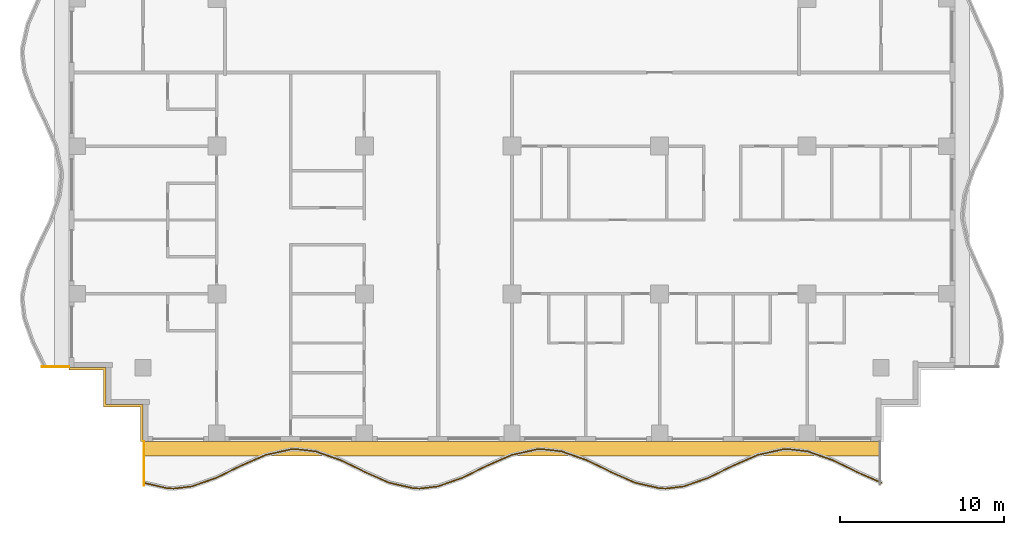
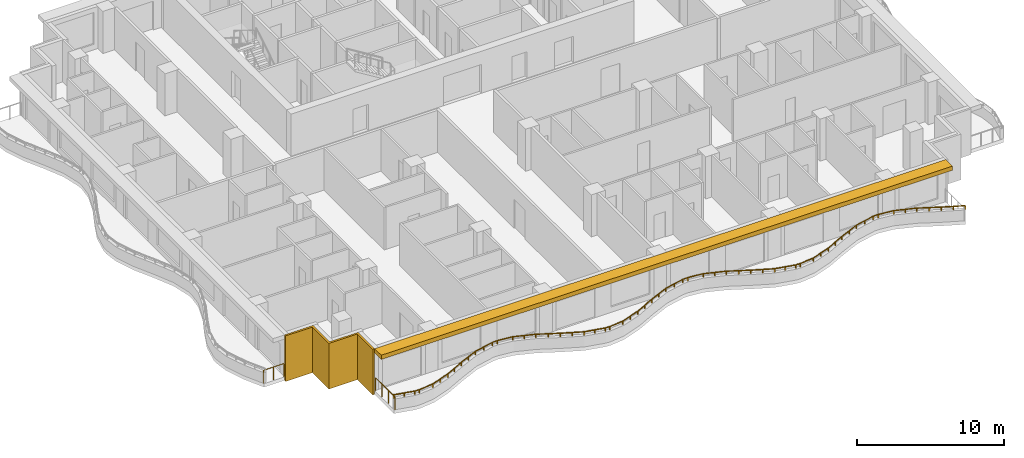
# One storey, part 9 of 12: 3 railings, 2 shading devices.
"""IFC4 building model written with IfcOpenShell, lengths in metres."""

from ifc_helpers import new_model, si_unit, direction, frame, origin, origin_2d, place, context, subcontext, project, spatial, polyline, rectangle, outline, extrude, material, layer, layer_set, type_object, element, save


model = new_model("IFC4")

# Units and contexts
model_context = context("Model", 3, precision=1e-05, world=origin(), true_north=direction((0.0, 1.0)))
body_context = subcontext(model_context, "Body", "Model", "MODEL_VIEW")
ifc_project = project(units=[si_unit("LENGTHUNIT", "METRE"), si_unit("AREAUNIT", "SQUARE_METRE"), si_unit("VOLUMEUNIT", "CUBIC_METRE"), si_unit("PLANEANGLEUNIT", "RADIAN"), si_unit("MASSUNIT", "GRAM", prefix="KILO")], contexts=[model_context])

# Site, building, storey
site_placement = place(None, origin())
site = spatial("IfcSite", under=ifc_project, at=site_placement, CompositionType="ELEMENT")
building_placement = place(site_placement, origin())
building = spatial("IfcBuilding", under=site, at=building_placement, Name="Orbiselva Terraces", CompositionType="ELEMENT")
storey_placement = place(building_placement, frame((0.0, 0.0, 214.8)))
storey = spatial("IfcBuildingStorey", under=building, at=storey_placement, Name="L54", CompositionType="ELEMENT", Elevation=214.8)

# Railings
ifc_material_1 = material(Name="Bonded two-ply safety glass balustrade, stainless steel posts", Category="steel")
railing_type_1 = type_object("IfcRailingType", Name="ENV-BALUSTRADE-1200", PredefinedType="BALUSTRADE", material=ifc_material_1)
railing_1_placement = place(storey_placement, frame((-22.472623, -25.026563, 0.9)))
element("IfcRailing", 1, at=railing_1_placement, inside=storey, type_object=railing_type_1, Name="Balcony balustrade L54 S", PredefinedType="BALUSTRADE", context=body_context, shape_type="SweptSolid", body=[
    extrude(outline(polyline([(0.028868, 0.0), (0.014434, 0.025), (-0.014434, 0.025), (-0.028868, 0.0), (-0.014434, -0.025), (0.014434, -0.025), (0.028868, 0.0)])), frame((0.0, 0.0, 0.275), z_axis=(0.975721322437, -0.21901575501, 0.0), x_axis=(0.21901575501, 0.975721322437, 0.0)), (0.0, 0.0, 1.0), 1.525954),
    extrude(outline(polyline([(0.028868, 0.0), (0.014434, 0.025), (-0.014434, 0.025), (-0.028868, 0.0), (-0.014434, -0.025), (0.014434, -0.025), (0.028868, 0.0)])), frame((1.488906, -0.334208, 0.275), z_axis=(0.999224931454, -0.039364150694, 0.0), x_axis=(0.039364150694, 0.999224931454, 0.0)), (0.0, 0.0, 1.0), 0.354206),
    extrude(outline(polyline([(0.028868, 0.0), (0.014434, 0.025), (-0.014434, 0.025), (-0.028868, 0.0), (-0.014434, -0.025), (0.014434, -0.025), (0.028868, 0.0)])), frame((1.842837, -0.348151, 0.275), z_axis=(0.993309658409, 0.115481264762, 0.0), x_axis=(-0.115481264762, 0.993309658409, 0.0)), (0.0, 0.0, 1.0), 1.10902),
    extrude(outline(polyline([(0.028868, 0.0), (0.014434, 0.025), (-0.014434, 0.025), (-0.028868, 0.0), (-0.014434, -0.025), (0.014434, -0.025), (0.028868, 0.0)])), frame((2.944437, -0.22008, 0.275), z_axis=(0.943972277814, 0.330024754707, 0.0), x_axis=(-0.330024754707, 0.943972277814, 0.0)), (0.0, 0.0, 1.0), 1.567807),
    extrude(outline(polyline([(0.028868, 0.0), (0.014434, 0.025), (-0.014434, 0.025), (-0.028868, 0.0), (-0.014434, -0.025), (0.014434, -0.025), (0.028868, 0.0)])), frame((4.424403, 0.297335, 0.275), z_axis=(0.89857890432, 0.438811978768, 0.0), x_axis=(-0.438811978768, 0.89857890432, 0.0)), (0.0, 0.0, 1.0), 1.66438),
    extrude(outline(polyline([(0.028868, 0.0), (0.014434, 0.025), (-0.014434, 0.025), (-0.028868, 0.0), (-0.014434, -0.025), (0.014434, -0.025), (0.028868, 0.0)])), frame((5.91998, 1.027685, 0.275), z_axis=(0.915133527237, 0.403150874148, 0.0), x_axis=(-0.403150874148, 0.915133527237, 0.0)), (0.0, 0.0, 1.0), 1.653736),
    extrude(outline(polyline([(0.028868, 0.0), (0.014434, 0.025), (-0.014434, 0.025), (-0.028868, 0.0), (-0.014434, -0.025), (0.014434, -0.025), (0.028868, 0.0)])), frame((7.433369, 1.69439, 0.275), z_axis=(0.97572137947, 0.219015500924, 0.0), x_axis=(-0.219015500924, 0.97572137947, 0.0)), (0.0, 0.0, 1.0), 1.560867),
    extrude(outline(polyline([(0.028868, 0.0), (0.014434, 0.025), (-0.014434, 0.025), (-0.028868, 0.0), (-0.014434, -0.025), (0.014434, -0.025), (0.028868, 0.0)])), frame((8.95634, 2.036244, 0.275), z_axis=(0.999224734286, 0.03936915532, 0.0), x_axis=(-0.03936915532, 0.999224734286, 0.0)), (0.0, 0.0, 1.0), 0.396376),
    extrude(outline(polyline([(0.028868, 0.0), (0.014434, 0.025), (-0.014434, 0.025), (-0.028868, 0.0), (-0.014434, -0.025), (0.014434, -0.025), (0.028868, 0.0)])), frame((9.352409, 2.051849, 0.275), z_axis=(0.993309551734, -0.115482182324, 0.0), x_axis=(0.115482182324, 0.993309551734, 0.0)), (0.0, 0.0, 1.0), 1.156135),
    extrude(outline(polyline([(0.028868, 0.0), (0.014434, 0.025), (-0.014434, 0.025), (-0.028868, 0.0), (-0.014434, -0.025), (0.014434, -0.025), (0.028868, 0.0)])), frame((10.500809, 1.918336, 0.275), z_axis=(0.943972332783, -0.330024597479, 0.0), x_axis=(0.330024597479, 0.943972332783, 0.0)), (0.0, 0.0, 1.0), 1.610253),
    extrude(outline(polyline([(0.028868, 0.0), (0.014434, 0.025), (-0.014434, 0.025), (-0.028868, 0.0), (-0.014434, -0.025), (0.014434, -0.025), (0.028868, 0.0)])), frame((12.020843, 1.386913, 0.275), z_axis=(0.898578870221, -0.438812048596, 0.0), x_axis=(0.438812048596, 0.898578870221, 0.0)), (0.0, 0.0, 1.0), 1.674225),
    extrude(outline(polyline([(0.028868, 0.0), (0.014434, 0.025), (-0.014434, 0.025), (-0.028868, 0.0), (-0.014434, -0.025), (0.014434, -0.025), (0.028868, 0.0)])), frame((13.525266, 0.652243, 0.275), z_axis=(0.915133363686, -0.403151245402, 0.0), x_axis=(0.403151245402, 0.915133363686, 0.0)), (0.0, 0.0, 1.0), 1.624475),
    extrude(outline(polyline([(0.028868, 0.0), (0.014434, 0.025), (-0.014434, 0.025), (-0.028868, 0.0), (-0.014434, -0.025), (0.014434, -0.025), (0.028868, 0.0)])), frame((15.011877, -0.002666, 0.275), z_axis=(0.975721325753, -0.219015740235, 0.0), x_axis=(0.219015740235, 0.975721325753, 0.0)), (0.0, 0.0, 1.0), 1.513782),
    extrude(outline(polyline([(0.028868, 0.0), (0.014434, 0.025), (-0.014434, 0.025), (-0.028868, 0.0), (-0.014434, -0.025), (0.014434, -0.025), (0.028868, 0.0)])), frame((16.488906, -0.334208, 0.275), z_axis=(0.999224931454, -0.039364150694, 0.0), x_axis=(0.039364150694, 0.999224931454, 0.0)), (0.0, 0.0, 1.0), 0.354206),
    extrude(outline(polyline([(0.028868, 0.0), (0.014434, 0.025), (-0.014434, 0.025), (-0.028868, 0.0), (-0.014434, -0.025), (0.014434, -0.025), (0.028868, 0.0)])), frame((16.842837, -0.348151, 0.275), z_axis=(0.993309658409, 0.115481264762, 0.0), x_axis=(-0.115481264762, 0.993309658409, 0.0)), (0.0, 0.0, 1.0), 1.10902),
    extrude(outline(polyline([(0.028868, 0.0), (0.014434, 0.025), (-0.014434, 0.025), (-0.028868, 0.0), (-0.014434, -0.025), (0.014434, -0.025), (0.028868, 0.0)])), frame((17.944437, -0.22008, 0.275), z_axis=(0.943972277814, 0.330024754707, 0.0), x_axis=(-0.330024754707, 0.943972277814, 0.0)), (0.0, 0.0, 1.0), 1.567807),
    extrude(outline(polyline([(0.028868, 0.0), (0.014434, 0.025), (-0.014434, 0.025), (-0.028868, 0.0), (-0.014434, -0.025), (0.014434, -0.025), (0.028868, 0.0)])), frame((19.424403, 0.297335, 0.275), z_axis=(0.89857890432, 0.438811978768, 0.0), x_axis=(-0.438811978768, 0.89857890432, 0.0)), (0.0, 0.0, 1.0), 1.66438),
    extrude(outline(polyline([(0.028868, 0.0), (0.014434, 0.025), (-0.014434, 0.025), (-0.028868, 0.0), (-0.014434, -0.025), (0.014434, -0.025), (0.028868, 0.0)])), frame((20.91998, 1.027685, 0.275), z_axis=(0.915133527237, 0.403150874148, 0.0), x_axis=(-0.403150874148, 0.915133527237, 0.0)), (0.0, 0.0, 1.0), 1.653736),
    extrude(outline(polyline([(0.028868, 0.0), (0.014434, 0.025), (-0.014434, 0.025), (-0.028868, 0.0), (-0.014434, -0.025), (0.014434, -0.025), (0.028868, 0.0)])), frame((22.433369, 1.69439, 0.275), z_axis=(0.97572137947, 0.219015500924, 0.0), x_axis=(-0.219015500924, 0.97572137947, 0.0)), (0.0, 0.0, 1.0), 1.560867),
    extrude(outline(polyline([(0.028868, 0.0), (0.014434, 0.025), (-0.014434, 0.025), (-0.028868, 0.0), (-0.014434, -0.025), (0.014434, -0.025), (0.028868, 0.0)])), frame((23.95634, 2.036244, 0.275), z_axis=(0.999224734286, 0.03936915532, 0.0), x_axis=(-0.03936915532, 0.999224734286, 0.0)), (0.0, 0.0, 1.0), 0.396376),
    extrude(outline(polyline([(0.028868, 0.0), (0.014434, 0.025), (-0.014434, 0.025), (-0.028868, 0.0), (-0.014434, -0.025), (0.014434, -0.025), (0.028868, 0.0)])), frame((24.352409, 2.051849, 0.275), z_axis=(0.993309551734, -0.115482182324, 0.0), x_axis=(0.115482182324, 0.993309551734, 0.0)), (0.0, 0.0, 1.0), 1.156135),
    extrude(outline(polyline([(0.028868, 0.0), (0.014434, 0.025), (-0.014434, 0.025), (-0.028868, 0.0), (-0.014434, -0.025), (0.014434, -0.025), (0.028868, 0.0)])), frame((25.500809, 1.918336, 0.275), z_axis=(0.943972332783, -0.330024597479, 0.0), x_axis=(0.330024597479, 0.943972332783, 0.0)), (0.0, 0.0, 1.0), 1.610253),
    extrude(outline(polyline([(0.028868, 0.0), (0.014434, 0.025), (-0.014434, 0.025), (-0.028868, 0.0), (-0.014434, -0.025), (0.014434, -0.025), (0.028868, 0.0)])), frame((27.020843, 1.386913, 0.275), z_axis=(0.898578870221, -0.438812048596, 0.0), x_axis=(0.438812048596, 0.898578870221, 0.0)), (0.0, 0.0, 1.0), 1.674225),
    extrude(outline(polyline([(0.028868, 0.0), (0.014434, 0.025), (-0.014434, 0.025), (-0.028868, 0.0), (-0.014434, -0.025), (0.014434, -0.025), (0.028868, 0.0)])), frame((28.525266, 0.652243, 0.275), z_axis=(0.915133363686, -0.403151245402, 0.0), x_axis=(0.403151245402, 0.915133363686, 0.0)), (0.0, 0.0, 1.0), 1.624475),
    extrude(outline(polyline([(0.028868, 0.0), (0.014434, 0.025), (-0.014434, 0.025), (-0.028868, 0.0), (-0.014434, -0.025), (0.014434, -0.025), (0.028868, 0.0)])), frame((30.011877, -0.002666, 0.275), z_axis=(0.975721325753, -0.219015740235, 0.0), x_axis=(0.219015740235, 0.975721325753, 0.0)), (0.0, 0.0, 1.0), 1.513782),
    extrude(outline(polyline([(0.028868, 0.0), (0.014434, 0.025), (-0.014434, 0.025), (-0.028868, 0.0), (-0.014434, -0.025), (0.014434, -0.025), (0.028868, 0.0)])), frame((31.488906, -0.334208, 0.275), z_axis=(0.999224931454, -0.039364150694, 0.0), x_axis=(0.039364150694, 0.999224931454, 0.0)), (0.0, 0.0, 1.0), 0.354206),
    extrude(outline(polyline([(0.028868, 0.0), (0.014434, 0.025), (-0.014434, 0.025), (-0.028868, 0.0), (-0.014434, -0.025), (0.014434, -0.025), (0.028868, 0.0)])), frame((31.842837, -0.348151, 0.275), z_axis=(0.993309658409, 0.115481264762, 0.0), x_axis=(-0.115481264762, 0.993309658409, 0.0)), (0.0, 0.0, 1.0), 1.10902),
    extrude(outline(polyline([(0.028868, 0.0), (0.014434, 0.025), (-0.014434, 0.025), (-0.028868, 0.0), (-0.014434, -0.025), (0.014434, -0.025), (0.028868, 0.0)])), frame((32.944437, -0.22008, 0.275), z_axis=(0.943972277814, 0.330024754707, 0.0), x_axis=(-0.330024754707, 0.943972277814, 0.0)), (0.0, 0.0, 1.0), 1.567807),
    extrude(outline(polyline([(0.028868, 0.0), (0.014434, 0.025), (-0.014434, 0.025), (-0.028868, 0.0), (-0.014434, -0.025), (0.014434, -0.025), (0.028868, 0.0)])), frame((34.424403, 0.297335, 0.275), z_axis=(0.89857890432, 0.438811978768, 0.0), x_axis=(-0.438811978768, 0.89857890432, 0.0)), (0.0, 0.0, 1.0), 1.66438),
    extrude(outline(polyline([(0.028868, 0.0), (0.014434, 0.025), (-0.014434, 0.025), (-0.028868, 0.0), (-0.014434, -0.025), (0.014434, -0.025), (0.028868, 0.0)])), frame((35.91998, 1.027685, 0.275), z_axis=(0.915133527237, 0.403150874148, 0.0), x_axis=(-0.403150874148, 0.915133527237, 0.0)), (0.0, 0.0, 1.0), 1.653736),
    extrude(outline(polyline([(0.028868, 0.0), (0.014434, 0.025), (-0.014434, 0.025), (-0.028868, 0.0), (-0.014434, -0.025), (0.014434, -0.025), (0.028868, 0.0)])), frame((37.433369, 1.69439, 0.275), z_axis=(0.97572137947, 0.219015500924, 0.0), x_axis=(-0.219015500924, 0.97572137947, 0.0)), (0.0, 0.0, 1.0), 1.560867),
    extrude(outline(polyline([(0.028868, 0.0), (0.014434, 0.025), (-0.014434, 0.025), (-0.028868, 0.0), (-0.014434, -0.025), (0.014434, -0.025), (0.028868, 0.0)])), frame((38.95634, 2.036244, 0.275), z_axis=(0.999224734286, 0.03936915532, 0.0), x_axis=(-0.03936915532, 0.999224734286, 0.0)), (0.0, 0.0, 1.0), 0.396376),
    extrude(outline(polyline([(0.028868, 0.0), (0.014434, 0.025), (-0.014434, 0.025), (-0.028868, 0.0), (-0.014434, -0.025), (0.014434, -0.025), (0.028868, 0.0)])), frame((39.352409, 2.051849, 0.275), z_axis=(0.993309551734, -0.115482182324, 0.0), x_axis=(0.115482182324, 0.993309551734, 0.0)), (0.0, 0.0, 1.0), 1.156135),
    extrude(outline(polyline([(0.028868, 0.0), (0.014434, 0.025), (-0.014434, 0.025), (-0.028868, 0.0), (-0.014434, -0.025), (0.014434, -0.025), (0.028868, 0.0)])), frame((40.500809, 1.918336, 0.275), z_axis=(0.943972332783, -0.330024597479, 0.0), x_axis=(0.330024597479, 0.943972332783, 0.0)), (0.0, 0.0, 1.0), 1.610253),
    extrude(outline(polyline([(0.028868, 0.0), (0.014434, 0.025), (-0.014434, 0.025), (-0.028868, 0.0), (-0.014434, -0.025), (0.014434, -0.025), (0.028868, 0.0)])), frame((42.020843, 1.386913, 0.275), z_axis=(0.898578870221, -0.438812048596, 0.0), x_axis=(0.438812048596, 0.898578870221, 0.0)), (0.0, 0.0, 1.0), 1.674225),
    extrude(outline(polyline([(0.028868, 0.0), (0.014434, 0.025), (-0.014434, 0.025), (-0.028868, 0.0), (-0.014434, -0.025), (0.014434, -0.025), (0.028868, 0.0)])), frame((43.525266, 0.652243, 0.275), z_axis=(0.915133498047, -0.403150940408, 0.0), x_axis=(0.403150940408, 0.915133498047, 0.0)), (0.0, 0.0, 1.0), 1.636648),
    extrude(rectangle(XDim=0.05, YDim=0.05, at=origin_2d()), origin(), (0.0, 0.0, 1.0), 0.25),
    extrude(rectangle(XDim=0.05, YDim=0.05, at=origin_2d()), frame((0.744453, -0.167104, 0.0)), (0.0, 0.0, 1.0), 0.25),
    extrude(rectangle(XDim=0.05, YDim=0.05, at=origin_2d()), frame((1.488906, -0.334208, 0.0)), (0.0, 0.0, 1.0), 0.25),
    extrude(rectangle(XDim=0.05, YDim=0.05, at=origin_2d()), frame((1.842837, -0.348151, 0.0)), (0.0, 0.0, 1.0), 0.25),
    extrude(rectangle(XDim=0.05, YDim=0.05, at=origin_2d()), frame((2.944437, -0.22008, 0.0)), (0.0, 0.0, 1.0), 0.25),
    extrude(rectangle(XDim=0.05, YDim=0.05, at=origin_2d()), frame((3.68442, 0.038628, 0.0)), (0.0, 0.0, 1.0), 0.25),
    extrude(rectangle(XDim=0.05, YDim=0.05, at=origin_2d()), frame((4.424403, 0.297335, 0.0)), (0.0, 0.0, 1.0), 0.25),
    extrude(rectangle(XDim=0.05, YDim=0.05, at=origin_2d()), frame((5.172191, 0.66251, 0.0)), (0.0, 0.0, 1.0), 0.25),
    extrude(rectangle(XDim=0.05, YDim=0.05, at=origin_2d()), frame((5.91998, 1.027685, 0.0)), (0.0, 0.0, 1.0), 0.25),
    extrude(rectangle(XDim=0.05, YDim=0.05, at=origin_2d()), frame((6.676674, 1.361037, 0.0)), (0.0, 0.0, 1.0), 0.25),
    extrude(rectangle(XDim=0.05, YDim=0.05, at=origin_2d()), frame((7.433369, 1.69439, 0.0)), (0.0, 0.0, 1.0), 0.25),
    extrude(rectangle(XDim=0.05, YDim=0.05, at=origin_2d()), frame((8.194854, 1.865317, 0.0)), (0.0, 0.0, 1.0), 0.25),
    extrude(rectangle(XDim=0.05, YDim=0.05, at=origin_2d()), frame((8.95634, 2.036244, 0.0)), (0.0, 0.0, 1.0), 0.25),
    extrude(rectangle(XDim=0.05, YDim=0.05, at=origin_2d()), frame((9.352409, 2.051849, 0.0)), (0.0, 0.0, 1.0), 0.25),
    extrude(rectangle(XDim=0.05, YDim=0.05, at=origin_2d()), frame((10.500809, 1.918336, 0.0)), (0.0, 0.0, 1.0), 0.25),
    extrude(rectangle(XDim=0.05, YDim=0.05, at=origin_2d()), frame((11.260826, 1.652624, 0.0)), (0.0, 0.0, 1.0), 0.25),
    extrude(rectangle(XDim=0.05, YDim=0.05, at=origin_2d()), frame((12.020843, 1.386913, 0.0)), (0.0, 0.0, 1.0), 0.25),
    extrude(rectangle(XDim=0.05, YDim=0.05, at=origin_2d()), frame((12.773054, 1.019578, 0.0)), (0.0, 0.0, 1.0), 0.25),
    extrude(rectangle(XDim=0.05, YDim=0.05, at=origin_2d()), frame((13.525266, 0.652243, 0.0)), (0.0, 0.0, 1.0), 0.25),
    extrude(rectangle(XDim=0.05, YDim=0.05, at=origin_2d()), frame((14.268571, 0.324788, 0.0)), (0.0, 0.0, 1.0), 0.25),
    extrude(rectangle(XDim=0.05, YDim=0.05, at=origin_2d()), frame((15.011877, -0.002666, 0.0)), (0.0, 0.0, 1.0), 0.25),
    extrude(rectangle(XDim=0.05, YDim=0.05, at=origin_2d()), frame((15.750392, -0.168437, 0.0)), (0.0, 0.0, 1.0), 0.25),
    extrude(rectangle(XDim=0.05, YDim=0.05, at=origin_2d()), frame((16.488906, -0.334208, 0.0)), (0.0, 0.0, 1.0), 0.25),
    extrude(rectangle(XDim=0.05, YDim=0.05, at=origin_2d()), frame((16.842837, -0.348151, 0.0)), (0.0, 0.0, 1.0), 0.25),
    extrude(rectangle(XDim=0.05, YDim=0.05, at=origin_2d()), frame((17.944437, -0.22008, 0.0)), (0.0, 0.0, 1.0), 0.25),
    extrude(rectangle(XDim=0.05, YDim=0.05, at=origin_2d()), frame((18.68442, 0.038628, 0.0)), (0.0, 0.0, 1.0), 0.25),
    extrude(rectangle(XDim=0.05, YDim=0.05, at=origin_2d()), frame((19.424403, 0.297335, 0.0)), (0.0, 0.0, 1.0), 0.25),
    extrude(rectangle(XDim=0.05, YDim=0.05, at=origin_2d()), frame((20.172191, 0.66251, 0.0)), (0.0, 0.0, 1.0), 0.25),
    extrude(rectangle(XDim=0.05, YDim=0.05, at=origin_2d()), frame((20.91998, 1.027685, 0.0)), (0.0, 0.0, 1.0), 0.25),
    extrude(rectangle(XDim=0.05, YDim=0.05, at=origin_2d()), frame((21.676674, 1.361037, 0.0)), (0.0, 0.0, 1.0), 0.25),
    extrude(rectangle(XDim=0.05, YDim=0.05, at=origin_2d()), frame((22.433369, 1.69439, 0.0)), (0.0, 0.0, 1.0), 0.25),
    extrude(rectangle(XDim=0.05, YDim=0.05, at=origin_2d()), frame((23.194854, 1.865317, 0.0)), (0.0, 0.0, 1.0), 0.25),
    extrude(rectangle(XDim=0.05, YDim=0.05, at=origin_2d()), frame((23.95634, 2.036244, 0.0)), (0.0, 0.0, 1.0), 0.25),
    extrude(rectangle(XDim=0.05, YDim=0.05, at=origin_2d()), frame((24.352409, 2.051849, 0.0)), (0.0, 0.0, 1.0), 0.25),
    extrude(rectangle(XDim=0.05, YDim=0.05, at=origin_2d()), frame((25.500809, 1.918336, 0.0)), (0.0, 0.0, 1.0), 0.25),
    extrude(rectangle(XDim=0.05, YDim=0.05, at=origin_2d()), frame((26.260826, 1.652624, 0.0)), (0.0, 0.0, 1.0), 0.25),
    extrude(rectangle(XDim=0.05, YDim=0.05, at=origin_2d()), frame((27.020843, 1.386913, 0.0)), (0.0, 0.0, 1.0), 0.25),
    extrude(rectangle(XDim=0.05, YDim=0.05, at=origin_2d()), frame((27.773054, 1.019578, 0.0)), (0.0, 0.0, 1.0), 0.25),
    extrude(rectangle(XDim=0.05, YDim=0.05, at=origin_2d()), frame((28.525266, 0.652243, 0.0)), (0.0, 0.0, 1.0), 0.25),
    extrude(rectangle(XDim=0.05, YDim=0.05, at=origin_2d()), frame((29.268572, 0.324788, 0.0)), (0.0, 0.0, 1.0), 0.25),
    extrude(rectangle(XDim=0.05, YDim=0.05, at=origin_2d()), frame((30.011877, -0.002666, 0.0)), (0.0, 0.0, 1.0), 0.25),
    extrude(rectangle(XDim=0.05, YDim=0.05, at=origin_2d()), frame((30.750392, -0.168437, 0.0)), (0.0, 0.0, 1.0), 0.25),
    extrude(rectangle(XDim=0.05, YDim=0.05, at=origin_2d()), frame((31.488906, -0.334208, 0.0)), (0.0, 0.0, 1.0), 0.25),
    extrude(rectangle(XDim=0.05, YDim=0.05, at=origin_2d()), frame((31.842837, -0.348151, 0.0)), (0.0, 0.0, 1.0), 0.25),
    extrude(rectangle(XDim=0.05, YDim=0.05, at=origin_2d()), frame((32.944437, -0.22008, 0.0)), (0.0, 0.0, 1.0), 0.25),
    extrude(rectangle(XDim=0.05, YDim=0.05, at=origin_2d()), frame((33.68442, 0.038628, 0.0)), (0.0, 0.0, 1.0), 0.25),
    extrude(rectangle(XDim=0.05, YDim=0.05, at=origin_2d()), frame((34.424403, 0.297335, 0.0)), (0.0, 0.0, 1.0), 0.25),
    extrude(rectangle(XDim=0.05, YDim=0.05, at=origin_2d()), frame((35.172192, 0.66251, 0.0)), (0.0, 0.0, 1.0), 0.25),
    extrude(rectangle(XDim=0.05, YDim=0.05, at=origin_2d()), frame((35.91998, 1.027685, 0.0)), (0.0, 0.0, 1.0), 0.25),
    extrude(rectangle(XDim=0.05, YDim=0.05, at=origin_2d()), frame((36.676674, 1.361037, 0.0)), (0.0, 0.0, 1.0), 0.25),
    extrude(rectangle(XDim=0.05, YDim=0.05, at=origin_2d()), frame((37.433369, 1.69439, 0.0)), (0.0, 0.0, 1.0), 0.25),
    extrude(rectangle(XDim=0.05, YDim=0.05, at=origin_2d()), frame((38.194854, 1.865317, 0.0)), (0.0, 0.0, 1.0), 0.25),
    extrude(rectangle(XDim=0.05, YDim=0.05, at=origin_2d()), frame((38.95634, 2.036244, 0.0)), (0.0, 0.0, 1.0), 0.25),
    extrude(rectangle(XDim=0.05, YDim=0.05, at=origin_2d()), frame((39.352409, 2.051849, 0.0)), (0.0, 0.0, 1.0), 0.25),
    extrude(rectangle(XDim=0.05, YDim=0.05, at=origin_2d()), frame((40.500809, 1.918336, 0.0)), (0.0, 0.0, 1.0), 0.25),
    extrude(rectangle(XDim=0.05, YDim=0.05, at=origin_2d()), frame((41.260826, 1.652624, 0.0)), (0.0, 0.0, 1.0), 0.25),
    extrude(rectangle(XDim=0.05, YDim=0.05, at=origin_2d()), frame((42.020843, 1.386913, 0.0)), (0.0, 0.0, 1.0), 0.25),
    extrude(rectangle(XDim=0.05, YDim=0.05, at=origin_2d()), frame((42.773054, 1.019578, 0.0)), (0.0, 0.0, 1.0), 0.25),
    extrude(rectangle(XDim=0.05, YDim=0.05, at=origin_2d()), frame((43.525266, 0.652243, 0.0)), (0.0, 0.0, 1.0), 0.25),
    extrude(rectangle(XDim=0.05, YDim=0.05, at=origin_2d()), frame((44.274142, 0.322335, 0.0)), (0.0, 0.0, 1.0), 0.25),
    extrude(rectangle(XDim=0.05, YDim=0.05, at=origin_2d()), frame((45.023017, -0.007573, 0.0)), (0.0, 0.0, 1.0), 0.25),
])
ifc_material_2 = material(Name="Stainless steel rail and posts", Category="steel")
railing_type_2 = type_object("IfcRailingType", Name="ENV-GUARD-1105", PredefinedType="BALUSTRADE", material=ifc_material_2)
railing_2_placement = place(storey_placement, frame((-22.44, -25.169584, 0.0)))
element("IfcRailing", 2, at=railing_2_placement, inside=storey, type_object=railing_type_2, Name="Balcony end guard L54 S", PredefinedType="BALUSTRADE", context=body_context, shape_type="SweptSolid", body=[
    extrude(outline(polyline([(0.028868, 0.0), (0.014434, 0.025), (-0.014434, 0.025), (-0.028868, 0.0), (-0.014434, -0.025), (0.014434, -0.025), (0.028868, 0.0)])), frame((0.0, 0.0, 1.08), z_axis=(0.0, 1.0, 0.0), x_axis=(-1.0, 0.0, 0.0)), (0.0, 0.0, 1.0), 2.644584),
    extrude(rectangle(XDim=0.05, YDim=0.05, at=origin_2d()), origin(), (0.0, 0.0, 1.0), 1.055),
    extrude(rectangle(XDim=0.05, YDim=0.05, at=origin_2d()), frame((0.0, 0.881528, 0.0)), (0.0, 0.0, 1.0), 1.055),
    extrude(rectangle(XDim=0.05, YDim=0.05, at=origin_2d()), frame((0.0, 1.763056, 0.0)), (0.0, 0.0, 1.0), 1.055),
    extrude(rectangle(XDim=0.05, YDim=0.05, at=origin_2d()), frame((0.0, 2.644584, 0.0)), (0.0, 0.0, 1.0), 1.055),
])
railing_3_placement = place(storey_placement, frame((-28.642123, -17.94, 0.0)))
element("IfcRailing", 3, at=railing_3_placement, inside=storey, type_object=railing_type_2, Name="Balcony end guard L54 W", PredefinedType="BALUSTRADE", context=body_context, shape_type="SweptSolid", body=[
    extrude(outline(polyline([(0.028868, 0.0), (0.014434, 0.025), (-0.014434, 0.025), (-0.028868, 0.0), (-0.014434, -0.025), (0.014434, -0.025), (0.028868, 0.0)])), frame((0.0, 0.0, 1.08), z_axis=(1.0, 0.0, 0.0), x_axis=(0.0, 1.0, 0.0)), (0.0, 0.0, 1.0), 1.617123),
    extrude(rectangle(XDim=0.05, YDim=0.05, at=origin_2d()), origin(), (0.0, 0.0, 1.0), 1.055),
    extrude(rectangle(XDim=0.05, YDim=0.05, at=origin_2d()), frame((0.808562, 0.0, 0.0)), (0.0, 0.0, 1.0), 1.055),
    extrude(rectangle(XDim=0.05, YDim=0.05, at=origin_2d()), frame((1.617123, 0.0, 0.0)), (0.0, 0.0, 1.0), 1.055),
])

# Shading devices
ifc_material_3 = material(Name="Terracotta louvre screen", Category="masonry")
ifc_layer_1 = layer(ifc_material_3, 0.15)
ifc_layer_set_1 = layer_set([ifc_layer_1], Name="Terracotta louvre screen")
shading_device_type_1 = type_object("IfcShadingDeviceType", Name="ENV-SCREEN-150", PredefinedType="USERDEFINED", material=ifc_layer_set_1)
shading_device_1_placement = place(storey_placement, frame((0.0, 0.0, -0.3)))
element("IfcShadingDevice", 4, at=shading_device_1_placement, inside=storey, type_object=shading_device_type_1, Name="Louvre screen L54 SW", ObjectType="SCREEN", PredefinedType="USERDEFINED", context=body_context, shape_type="SweptSolid", body=[
    extrude(outline(polyline([(-27.0, -18.15), (-24.9, -18.15), (-24.9, -20.4), (-22.65, -20.4), (-22.65, -22.5), (-22.5, -22.5), (-22.5, -20.25), (-24.75, -20.25), (-24.75, -18.0), (-27.0, -18.0), (-27.0, -18.15)])), origin(), (0.0, 0.0, 1.0), 3.8),
])
ifc_material_4 = material(Name="Terracotta baguette sunshade", Category="masonry")
ifc_layer_2 = layer(ifc_material_4, 0.35)
ifc_layer_set_2 = layer_set([ifc_layer_2], Name="Terracotta baguette sunshade")
shading_device_type_2 = type_object("IfcShadingDeviceType", Name="ENV-SUNSHADE-900x350", PredefinedType="USERDEFINED", material=ifc_layer_set_2)
shading_device_2_placement = place(storey_placement, frame((0.0, 0.0, 3.15)))
element("IfcShadingDevice", 5, at=shading_device_2_placement, inside=storey, type_object=shading_device_type_2, Name="Sunshade band L54 S", ObjectType="SUNSHADE", PredefinedType="USERDEFINED", context=body_context, shape_type="SweptSolid", body=[
    extrude(outline(polyline([(-22.5, -23.4), (22.5, -23.4), (22.5, -22.5), (-22.5, -22.5), (-22.5, -23.4)])), origin(), (0.0, 0.0, 1.0), 0.35),
])

save(model, "model.ifc")
